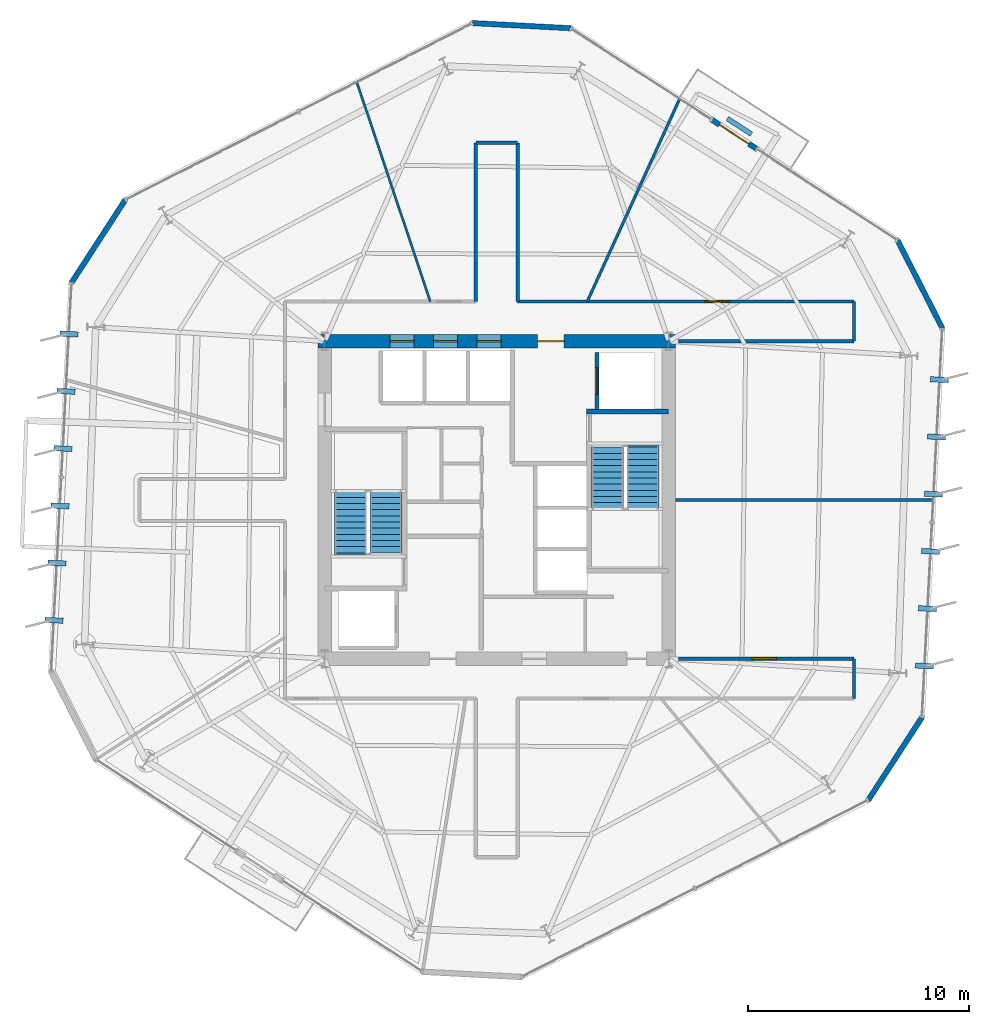
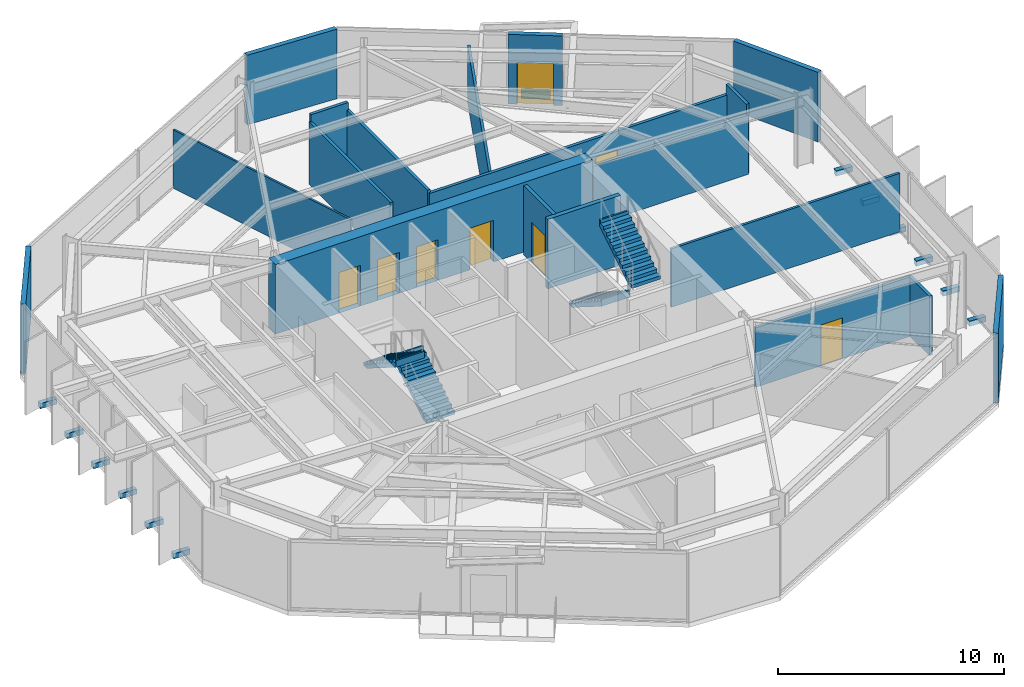
# One storey, part 8 of 10: 20 walls, 12 discrete accessories, 8 doors, 4 stair flights, 8 openings, 2 elements without a shape of their own.
"""IFC4 building model written with IfcOpenShell, lengths in metres."""

from ifc_helpers import new_model, si_unit, direction, frame, frame_2d, origin, origin_2d, place, context, subcontext, project, spatial, polyline, rectangle, outline, extrude, material, layer, layer_set, type_object, element, fill, aggregate, save


model = new_model("IFC4")

# Units and contexts
model_context = context("Model", 3, precision=1e-05, world=origin(), true_north=direction((0.0, 1.0)))
body_context = subcontext(model_context, "Body", "Model", "MODEL_VIEW")
ifc_project = project(units=[si_unit("LENGTHUNIT", "METRE"), si_unit("AREAUNIT", "SQUARE_METRE"), si_unit("VOLUMEUNIT", "CUBIC_METRE"), si_unit("PLANEANGLEUNIT", "RADIAN"), si_unit("MASSUNIT", "GRAM", prefix="KILO")], contexts=[model_context])

# Site, building, storey
site_placement = place(None, origin())
site = spatial("IfcSite", under=ifc_project, at=site_placement, CompositionType="ELEMENT")
building_placement = place(site_placement, origin())
building = spatial("IfcBuilding", under=site, at=building_placement, Name="Kranzbogen Civic Tower", CompositionType="ELEMENT")
storey_placement = place(building_placement, frame((0.0, 0.0, 130.39990234375)))
storey = spatial("IfcBuildingStorey", under=building, at=storey_placement, Name="L31", CompositionType="ELEMENT", Elevation=130.39990234375)

# Walls
ifc_material_1 = material(Name="Double-Stud Acoustic Gypsum Partition")
ifc_layer_1 = layer(ifc_material_1, 0.14990234375, Name="Double-Stud Acoustic Gypsum Partition")
ifc_layer_set_1 = layer_set([ifc_layer_1], Name="Double-Stud Acoustic Gypsum Partition")
wall_type_1 = type_object("IfcWallType", Name="Acoustic Corridor and Clinical Partition 150 mm", PredefinedType="PARTITIONING", material=ifc_layer_set_1)
wall_1_placement = place(storey_placement, frame((24.050048828125, 34.0, 0.0), z_axis=(0.0, 0.0, 1.0), x_axis=(0.0, 1.0, 0.0)))
element("IfcWall", 1, at=wall_1_placement, inside=storey, type_object=wall_type_1, Name="L31 corridor partition 11", PredefinedType="PARTITIONING", context=body_context, shape_type="SweptSolid", body=[
    extrude(rectangle(XDim=7.199951171875, YDim=0.14990234375, at=frame_2d((3.60009765625, 0.0))), origin(), (0.0, 0.0, 1.0), 3.360107421875),
])
wall_2_placement = place(storey_placement, frame((24.050048828125, 41.199951171875, 0.0), z_axis=(0.0, 0.0, 1.0), x_axis=(1.0, 0.0, 0.0)))
element("IfcWall", 2, at=wall_2_placement, inside=storey, type_object=wall_type_1, Name="L31 corridor partition 12", PredefinedType="PARTITIONING", context=body_context, shape_type="SweptSolid", body=[
    extrude(rectangle(XDim=1.89990234375, YDim=0.14990234375, at=frame_2d((0.949951171875, 0.0))), origin(), (0.0, 0.0, 1.0), 3.760009765625),
])
wall_3_placement = place(storey_placement, frame((25.949951171875, 41.199951171875, 0.0), z_axis=(0.0, 0.0, 1.0), x_axis=(0.0, -1.0, 0.0)))
element("IfcWall", 3, at=wall_3_placement, inside=storey, type_object=wall_type_1, Name="L31 corridor partition 13", PredefinedType="PARTITIONING", context=body_context, shape_type="SweptSolid", body=[
    extrude(rectangle(XDim=7.199951171875, YDim=0.14990234375, at=frame_2d((3.60009765625, 0.0))), origin(), (0.0, 0.0, 1.0), 3.360107421875),
])

# Wall, opening, door
wall_4_placement = place(storey_placement, frame((25.949951171875, 34.0, 0.0), z_axis=(0.0, 0.0, 1.0), x_axis=(1.0, 0.0, 0.0)))
wall_4 = element("IfcWall", 4, at=wall_4_placement, inside=storey, type_object=wall_type_1, Name="L31 corridor partition 14", PredefinedType="PARTITIONING", context=body_context, shape_type="SweptSolid", body=[
    extrude(rectangle(XDim=15.25, YDim=0.14990234375, at=frame_2d((7.625, 0.0))), origin(), (0.0, 0.0, 1.0), 3.210205078125),
])
opening_1_placement = place(wall_4_placement, frame((8.487060546875, 0.0, 0.0)))
opening_1 = element("IfcOpeningElement", 5, at=opening_1_placement, cuts=wall_4, Name="Opening D-COR60", PredefinedType="OPENING", context=body_context, shape_type="SweptSolid", body=[
    extrude(rectangle(XDim=1.10009765625, YDim=2.199951171875, at=frame_2d((0.550048828125, 1.10009765625))), frame((0.0, 0.0849609375, 0.0), z_axis=(0.0, -1.0, 0.0), x_axis=(1.0, 0.0, 0.0)), (0.0, 0.0, 1.0), 0.169921875),
])
ifc_material_2 = material(Name="Oak Timber and Fire Core", Category="wood")
door_type_1 = type_object("IfcDoorType", Name="Corridor Acoustic Fire Door 1100x2200", OperationType="NOTDEFINED", PredefinedType="DOOR", material=ifc_material_2)
door_1_placement = place(opening_1_placement, origin())
door_1 = element("IfcDoor", 6, at=door_1_placement, inside=storey, type_object=door_type_1, Name="L31 Public Delegation Reception door", OperationType="SINGLE_SWING_LEFT", OverallHeight=2.199951171875, OverallWidth=1.10009765625, PredefinedType="DOOR", context=body_context, shape_type="SweptSolid", body=[
    extrude(rectangle(XDim=1.10009765625, YDim=2.199951171875, at=frame_2d((0.550048828125, 1.10009765625))), frame((0.0, 0.02490234375, 0.0), z_axis=(0.0, -1.0, 0.0), x_axis=(1.0, 0.0, 0.0)), (0.0, 0.0, 1.0), 0.050048828125),
])
fill(opening_1, door_1)

# Walls
wall_5_placement = place(storey_placement, frame((41.199951171875, 34.0, 0.0), z_axis=(0.0, 0.0, 1.0), x_axis=(0.0, -1.0, 0.0)))
element("IfcWall", 7, at=wall_5_placement, inside=storey, type_object=wall_type_1, Name="L31 corridor partition 15", PredefinedType="PARTITIONING", context=body_context, shape_type="SweptSolid", body=[
    extrude(rectangle(XDim=1.800048828125, YDim=0.14990234375, at=frame_2d((0.89990234375, 0.0))), origin(), (0.0, 0.0, 1.0), 3.760009765625),
])
wall_6_placement = place(storey_placement, frame((41.199951171875, 32.199951171875, 0.0), z_axis=(0.0, 0.0, 1.0), x_axis=(-1.0, 0.0, 0.0)))
element("IfcWall", 8, at=wall_6_placement, inside=storey, type_object=wall_type_1, Name="L31 corridor partition 16", PredefinedType="PARTITIONING", context=body_context, shape_type="SweptSolid", body=[
    extrude(rectangle(XDim=7.952880859375, YDim=0.14990234375, at=frame_2d((3.9765625, 0.0))), origin(), (0.0, 0.0, 1.0), 3.210205078125),
])

# Wall, opening, door
wall_7_placement = place(storey_placement, frame((33.2470703125, 17.800048828125, 0.0), z_axis=(0.0, 0.0, 1.0), x_axis=(1.0, 0.0, 0.0)))
wall_7 = element("IfcWall", 9, at=wall_7_placement, inside=storey, type_object=wall_type_1, Name="L31 corridor partition 17", PredefinedType="PARTITIONING", context=body_context, shape_type="SweptSolid", body=[
    extrude(rectangle(XDim=7.952880859375, YDim=0.14990234375, at=frame_2d((3.9765625, 0.0))), origin(), (0.0, 0.0, 1.0), 3.210205078125),
])
opening_2_placement = place(wall_7_placement, frame((3.337890625, 0.0, 0.0)))
opening_2 = element("IfcOpeningElement", 10, at=opening_2_placement, cuts=wall_7, Name="Opening D-COR60", PredefinedType="OPENING", context=body_context, shape_type="SweptSolid", body=[
    extrude(rectangle(XDim=1.10009765625, YDim=2.199951171875, at=frame_2d((0.550048828125, 1.10009765625))), frame((0.0, 0.0849609375, 0.0), z_axis=(0.0, -1.0, 0.0), x_axis=(1.0, 0.0, 0.0)), (0.0, 0.0, 1.0), 0.169921875),
])
door_2_placement = place(opening_2_placement, origin())
door_2 = element("IfcDoor", 11, at=door_2_placement, inside=storey, type_object=door_type_1, Name="L31 Visitor Concierge Foyer door", OperationType="SINGLE_SWING_RIGHT", OverallHeight=2.199951171875, OverallWidth=1.10009765625, PredefinedType="DOOR", context=body_context, shape_type="SweptSolid", body=[
    extrude(rectangle(XDim=1.10009765625, YDim=2.199951171875, at=frame_2d((0.550048828125, 1.10009765625))), frame((0.0, 0.02490234375, 0.0), z_axis=(0.0, -1.0, 0.0), x_axis=(1.0, 0.0, 0.0)), (0.0, 0.0, 1.0), 0.050048828125),
])
fill(opening_2, door_2)

# Walls
wall_8_placement = place(storey_placement, frame((41.199951171875, 17.800048828125, 0.0), z_axis=(0.0, 0.0, 1.0), x_axis=(0.0, -1.0, 0.0)))
element("IfcWall", 12, at=wall_8_placement, inside=storey, type_object=wall_type_1, Name="L31 corridor partition 18", PredefinedType="PARTITIONING", context=body_context, shape_type="SweptSolid", body=[
    extrude(rectangle(XDim=1.800048828125, YDim=0.14990234375, at=frame_2d((0.89990234375, 0.0))), origin(), (0.0, 0.0, 1.0), 3.210205078125),
])
ifc_material_3 = material(Name="Insulated Metal-Stud Gypsum Partition")
ifc_layer_2 = layer(ifc_material_3, 0.125, Name="Insulated Metal-Stud Gypsum Partition")
ifc_layer_set_2 = layer_set([ifc_layer_2], Name="Insulated Metal-Stud Gypsum Partition")
wall_type_2 = type_object("IfcWallType", Name="Acoustic Inter-Room Partition 125 mm", PredefinedType="PARTITIONING", material=ifc_layer_set_2)
wall_9_placement = place(storey_placement, frame((29.10400390625, 34.0, 0.0), z_axis=(0.0, 0.0, 1.0), x_axis=(0.414877179532, 0.90987742356, 0.0)))
element("IfcWall", 13, at=wall_9_placement, inside=storey, type_object=wall_type_2, Name="L31 radial room partition 01", PredefinedType="PARTITIONING", context=body_context, shape_type="SweptSolid", body=[
    extrude(rectangle(XDim=10.082763671875, YDim=0.125, at=frame_2d((5.04150390625, 0.0))), origin(), (0.0, 0.0, 1.0), 3.050048828125),
])
wall_10_placement = place(storey_placement, frame((33.10009765625, 25.0, 0.0), z_axis=(0.0, 0.0, 1.0), x_axis=(1.0, 0.0, 0.0)))
element("IfcWall", 14, at=wall_10_placement, inside=storey, type_object=wall_type_2, Name="L31 radial room partition 07", PredefinedType="PARTITIONING", context=body_context, shape_type="SweptSolid", body=[
    extrude(rectangle(XDim=11.681884765625, YDim=0.125, at=frame_2d((5.8408203125, 0.0))), origin(), (0.0, 0.0, 1.0), 3.16015625),
])
ifc_material_4 = material(Name="Architectural Precast Terracotta Concrete C40/50", Category="masonry")
ifc_layer_3 = layer(ifc_material_4, 0.219970703125, Name="Architectural Precast Terracotta Concrete C40/50")
ifc_layer_set_3 = layer_set([ifc_layer_3], Name="Architectural Precast Terracotta Concrete C40/50")
wall_type_3 = type_object("IfcWallType", Name="Architectural Tree Planter Kerb Wall 220 mm", PredefinedType="USERDEFINED", material=ifc_layer_set_3)
wall_11_placement = place(storey_placement, frame((36.549072265625, 41.591064453125, 0.0), z_axis=(0.0, 0.0, 1.0), x_axis=(-0.838636669764, 0.544691230082, 0.0)))
element("IfcWall", 15, at=wall_11_placement, inside=storey, type_object=wall_type_3, Name="L31 landscaped tree balcony planter L31-TB2", ObjectType="PLANTER_WALL", PredefinedType="USERDEFINED", context=body_context, shape_type="SweptSolid", body=[
    extrude(rectangle(XDim=1.2998046875, YDim=0.219970703125, at=frame_2d((0.64990234375, 0.0))), origin(), (0.0, 0.0, 1.0), 0.400146484375),
])

# Wall, openings, doors
ifc_material_5 = material(Name="Concrete C55/67", Category="concrete")
ifc_layer_4 = layer(ifc_material_5, 0.60009765625, Name="Concrete C55/67")
ifc_layer_set_4 = layer_set([ifc_layer_4], Name="Concrete C55/67")
wall_type_4 = type_object("IfcWallType", Name="Central Core Shear Wall 600 mm", PredefinedType="SHEAR", material=ifc_layer_set_4)
wall_12_placement = place(storey_placement, frame((33.10009765625, 32.199951171875, 0.0), z_axis=(0.0, 0.0, 1.0), x_axis=(-1.0, 0.0, 0.0)))
wall_12 = element("IfcWall", 16, at=wall_12_placement, inside=storey, type_object=wall_type_4, Name="L31 central core North shear wall", PredefinedType="SHEAR", context=body_context, shape_type="SweptSolid", body=[
    extrude(rectangle(XDim=16.2001953125, YDim=0.60009765625, at=frame_2d((8.10009765625, 0.0))), origin(), (0.0, 0.0, 1.0), 3.760009765625),
])
opening_3_placement = place(wall_12_placement, frame((5.050048828125, 0.0, 0.0)))
opening_3 = element("IfcOpeningElement", 17, at=opening_3_placement, cuts=wall_12, Name="Opening D-EX120", PredefinedType="OPENING", context=body_context, shape_type="SweptSolid", body=[
    extrude(rectangle(XDim=1.199951171875, YDim=2.25, at=frame_2d((0.60009765625, 1.125))), frame((0.0, 0.31005859375, 0.0), z_axis=(0.0, -1.0, 0.0), x_axis=(1.0, 0.0, 0.0)), (0.0, 0.0, 1.0), 0.6201171875),
])
opening_4_placement = place(wall_12_placement, frame((11.85009765625, 0.0, 0.0)))
opening_4 = element("IfcOpeningElement", 18, at=opening_4_placement, cuts=wall_12, Name="Opening LD-MP-01", PredefinedType="OPENING", context=body_context, shape_type="SweptSolid", body=[
    extrude(rectangle(XDim=1.10009765625, YDim=2.199951171875, at=frame_2d((0.550048828125, 1.10009765625))), frame((0.0, 0.31005859375, 0.0), z_axis=(0.0, -1.0, 0.0), x_axis=(1.0, 0.0, 0.0)), (0.0, 0.0, 1.0), 0.6201171875),
])
opening_5_placement = place(wall_12_placement, frame((9.875, 0.0, 0.0)))
opening_5 = element("IfcOpeningElement", 19, at=opening_5_placement, cuts=wall_12, Name="Opening LD-MP-02", PredefinedType="OPENING", context=body_context, shape_type="SweptSolid", body=[
    extrude(rectangle(XDim=1.10009765625, YDim=2.199951171875, at=frame_2d((0.550048828125, 1.10009765625))), frame((0.0, 0.31005859375, 0.0), z_axis=(0.0, -1.0, 0.0), x_axis=(1.0, 0.0, 0.0)), (0.0, 0.0, 1.0), 0.6201171875),
])
opening_6_placement = place(wall_12_placement, frame((7.89990234375, 0.0, 0.0)))
opening_6 = element("IfcOpeningElement", 20, at=opening_6_placement, cuts=wall_12, Name="Opening LD-MP-03", PredefinedType="OPENING", context=body_context, shape_type="SweptSolid", body=[
    extrude(rectangle(XDim=1.10009765625, YDim=2.199951171875, at=frame_2d((0.550048828125, 1.10009765625))), frame((0.0, 0.31005859375, 0.0), z_axis=(0.0, -1.0, 0.0), x_axis=(1.0, 0.0, 0.0)), (0.0, 0.0, 1.0), 0.6201171875),
])
ifc_material_6 = material(Name="Steel S355", Category="steel")
door_type_2 = type_object("IfcDoorType", Name="Exit Passageway Fire Door 1200x2250", OperationType="NOTDEFINED", PredefinedType="DOOR", material=ifc_material_6)
door_3_placement = place(opening_3_placement, origin())
door_3 = element("IfcDoor", 21, at=door_3_placement, inside=storey, type_object=door_type_2, Name="L31 East firefighting lobby corridor door", OperationType="SINGLE_SWING_LEFT", OverallHeight=2.25, OverallWidth=1.199951171875, PredefinedType="DOOR", context=body_context, shape_type="SweptSolid", body=[
    extrude(rectangle(XDim=1.199951171875, YDim=2.25, at=frame_2d((0.60009765625, 1.125))), frame((0.0, 0.02490234375, 0.0), z_axis=(0.0, -1.0, 0.0), x_axis=(1.0, 0.0, 0.0)), (0.0, 0.0, 1.0), 0.050048828125),
])
fill(opening_3, door_3)
ifc_material_7 = material(Name="Pale Anodised Aluminium", Category="aluminium")
door_type_3 = type_object("IfcDoorType", Name="Passenger Lift Sliding Landing Door 1100x2200", OperationType="DOUBLE_DOOR_SLIDING", PredefinedType="DOOR", material=ifc_material_7)
door_4_placement = place(opening_4_placement, origin())
door_4 = element("IfcDoor", 22, at=door_4_placement, inside=storey, type_object=door_type_3, Name="L31 lift MP-01 sliding landing door", OperationType="DOUBLE_DOOR_SLIDING", OverallHeight=2.199951171875, OverallWidth=1.10009765625, PredefinedType="DOOR", context=body_context, shape_type="SweptSolid", body=[
    extrude(rectangle(XDim=1.10009765625, YDim=2.199951171875, at=frame_2d((0.550048828125, 1.10009765625))), frame((0.0, 0.02490234375, 0.0), z_axis=(0.0, -1.0, 0.0), x_axis=(1.0, 0.0, 0.0)), (0.0, 0.0, 1.0), 0.050048828125),
])
fill(opening_4, door_4)
door_5_placement = place(opening_5_placement, origin())
door_5 = element("IfcDoor", 23, at=door_5_placement, inside=storey, type_object=door_type_3, Name="L31 lift MP-02 sliding landing door", OperationType="DOUBLE_DOOR_SLIDING", OverallHeight=2.199951171875, OverallWidth=1.10009765625, PredefinedType="DOOR", context=body_context, shape_type="SweptSolid", body=[
    extrude(rectangle(XDim=1.10009765625, YDim=2.199951171875, at=frame_2d((0.550048828125, 1.10009765625))), frame((0.0, 0.02490234375, 0.0), z_axis=(0.0, -1.0, 0.0), x_axis=(1.0, 0.0, 0.0)), (0.0, 0.0, 1.0), 0.050048828125),
])
fill(opening_5, door_5)
door_6_placement = place(opening_6_placement, origin())
door_6 = element("IfcDoor", 24, at=door_6_placement, inside=storey, type_object=door_type_3, Name="L31 lift MP-03 sliding landing door", OperationType="DOUBLE_DOOR_SLIDING", OverallHeight=2.199951171875, OverallWidth=1.10009765625, PredefinedType="DOOR", context=body_context, shape_type="SweptSolid", body=[
    extrude(rectangle(XDim=1.10009765625, YDim=2.199951171875, at=frame_2d((0.550048828125, 1.10009765625))), frame((0.0, 0.02490234375, 0.0), z_axis=(0.0, -1.0, 0.0), x_axis=(1.0, 0.0, 0.0)), (0.0, 0.0, 1.0), 0.050048828125),
])
fill(opening_6, door_6)

# Walls
ifc_material_8 = material(Name="Concrete C45/55", Category="concrete")
ifc_layer_5 = layer(ifc_material_8, 0.219970703125, Name="Concrete C45/55")
ifc_layer_set_5 = layer_set([ifc_layer_5], Name="Concrete C45/55")
wall_type_5 = type_object("IfcWallType", Name="Core Internal Stair Structural Wall 220 mm", PredefinedType="SOLIDWALL", material=ifc_layer_set_5)
wall_13_placement = place(storey_placement, frame((29.080078125, 29.010009765625, 0.0), z_axis=(0.0, 0.0, 1.0), x_axis=(1.0, 0.0, 0.0)))
element("IfcWall", 25, at=wall_13_placement, inside=storey, type_object=wall_type_5, Name="L31 ST-T2 North structural stair wall", PredefinedType="SOLIDWALL", context=body_context, shape_type="SweptSolid", body=[
    extrude(rectangle(XDim=3.719970703125, YDim=0.219970703125, at=frame_2d((1.85986328125, 0.0))), origin(), (0.0, 0.0, 1.0), 3.760009765625),
])
ifc_material_9 = material(Name="Demountable Aluminium and Gypsum Partition", Category="aluminium")
ifc_layer_6 = layer(ifc_material_9, 0.10009765625, Name="Demountable Aluminium and Gypsum Partition")
ifc_layer_set_6 = layer_set([ifc_layer_6], Name="Demountable Aluminium and Gypsum Partition")
wall_type_6 = type_object("IfcWallType", Name="Demountable Office Partition 100 mm", PredefinedType="MOVABLE", material=ifc_layer_set_6)
wall_14_placement = place(storey_placement, frame((21.987060546875, 34.0, 0.0), z_axis=(0.0, 0.0, 1.0), x_axis=(-0.317554871219, 0.948239897792, 0.0)))
element("IfcWall", 26, at=wall_14_placement, inside=storey, type_object=wall_type_6, Name="L31 radial room partition 02", PredefinedType="MOVABLE", context=body_context, shape_type="SweptSolid", body=[
    extrude(rectangle(XDim=10.483642578125, YDim=0.10009765625, at=frame_2d((5.24169921875, 0.0))), origin(), (0.0, 0.0, 1.0), 3.16015625),
])

# Wall, opening, door
ifc_material_10 = material(Name="Gypsum Fireboard Shaftliner")
ifc_layer_7 = layer(ifc_material_10, 0.175048828125, Name="Gypsum Fireboard Shaftliner")
ifc_layer_set_7 = layer_set([ifc_layer_7], Name="Gypsum Fireboard Shaftliner")
wall_type_7 = type_object("IfcWallType", Name="Fire-Rated Lift and Service Shaft Wall 175 mm", PredefinedType="PARTITIONING", material=ifc_layer_set_7)
wall_15_placement = place(storey_placement, frame((29.550048828125, 29.10009765625, 0.0), z_axis=(0.0, 0.0, 1.0), x_axis=(0.0, 1.0, 0.0)))
wall_15 = element("IfcWall", 27, at=wall_15_placement, inside=storey, type_object=wall_type_7, Name="L31 lift FF-02 landing wall", PredefinedType="PARTITIONING", context=body_context, shape_type="SweptSolid", body=[
    extrude(rectangle(XDim=2.599853515625, YDim=0.175048828125, at=frame_2d((1.2998046875, 0.0))), origin(), (0.0, 0.0, 1.0), 3.760009765625),
])
opening_7_placement = place(wall_15_placement, frame((0.699951171875, 0.0, 0.0)))
opening_7 = element("IfcOpeningElement", 28, at=opening_7_placement, cuts=wall_15, Name="Opening LD-FF-02", PredefinedType="OPENING", context=body_context, shape_type="SweptSolid", body=[
    extrude(rectangle(XDim=1.199951171875, YDim=2.199951171875, at=frame_2d((0.60009765625, 1.10009765625))), frame((0.0, 0.09765625, 0.0), z_axis=(0.0, -1.0, 0.0), x_axis=(1.0, 0.0, 0.0)), (0.0, 0.0, 1.0), 0.195068359375),
])
door_type_4 = type_object("IfcDoorType", Name="Firefighting and Stretcher Lift Sliding Landing Door 1200x2200", OperationType="DOUBLE_DOOR_SLIDING", PredefinedType="DOOR", material=ifc_material_7)
door_7_placement = place(opening_7_placement, origin())
door_7 = element("IfcDoor", 29, at=door_7_placement, inside=storey, type_object=door_type_4, Name="L31 lift FF-02 sliding landing door", OperationType="DOUBLE_DOOR_SLIDING", OverallHeight=2.199951171875, OverallWidth=1.199951171875, PredefinedType="DOOR", context=body_context, shape_type="SweptSolid", body=[
    extrude(rectangle(XDim=1.199951171875, YDim=2.199951171875, at=frame_2d((0.60009765625, 1.10009765625))), frame((0.0, 0.02490234375, 0.0), z_axis=(0.0, -1.0, 0.0), x_axis=(1.0, 0.0, 0.0)), (0.0, 0.0, 1.0), 0.050048828125),
])
fill(opening_7, door_7)

ifc_layer_8 = layer(ifc_material_7, 0.239990234375, Name="Pale Anodised Aluminium")
ifc_layer_set_8 = layer_set([ifc_layer_8], Name="Pale Anodised Aluminium")
wall_type_8 = type_object("IfcWallType", Name="Insulated Aluminium Facade Portal Wall 240 mm", PredefinedType="STANDARD", material=ifc_layer_set_8)
wall_16_placement = place(storey_placement, frame((36.77490234375, 40.928955078125, 0.0), z_axis=(0.0, 0.0, 1.0), x_axis=(-0.838687554781, 0.544612876689, 0.0)))
wall_16 = element("IfcWall", 30, at=wall_16_placement, inside=storey, type_object=wall_type_8, Name="L31 exterior entrance portal wall 1", PredefinedType="STANDARD", context=body_context, shape_type="SweptSolid", body=[
    extrude(rectangle(XDim=2.400146484375, YDim=0.239990234375, at=frame_2d((1.2001953125, 0.0))), origin(), (0.0, 0.0, 1.0), 3.760009765625),
])
opening_8_placement = place(wall_16_placement, frame((0.39990234375, 0.0, 0.0)))
opening_8 = element("IfcOpeningElement", 31, at=opening_8_placement, cuts=wall_16, Name="Opening D-TER", PredefinedType="OPENING", context=body_context, shape_type="SweptSolid", body=[
    extrude(rectangle(XDim=1.60009765625, YDim=2.25, at=frame_2d((0.800048828125, 1.125))), frame((0.0, 0.1298828125, 0.0), z_axis=(0.0, -1.0, 0.0), x_axis=(1.0, 0.0, 0.0)), (0.0, 0.0, 1.0), 0.260009765625),
])
ifc_material_11 = material(Name="Anodised Bronze and Triple Glass", Category="glass")
door_type_5 = type_object("IfcDoorType", Name="Glazed Terrace and Balcony Double Door 1600x2250", OperationType="DOUBLE_DOOR_SINGLE_SWING", PredefinedType="DOOR", material=ifc_material_11)
door_8_placement = place(opening_8_placement, frame((1.60009765625, 0.0, 0.0), z_axis=(0.0, 0.0, 1.0), x_axis=(-1.0, 0.0, 0.0)))
door_8 = element("IfcDoor", 32, at=door_8_placement, inside=storey, type_object=door_type_5, Name="L31 tree balcony access door L31-TB2", OperationType="DOUBLE_DOOR_SINGLE_SWING", OverallHeight=2.25, OverallWidth=1.60009765625, PredefinedType="DOOR", context=body_context, shape_type="SweptSolid", body=[
    extrude(rectangle(XDim=1.60009765625, YDim=2.25, at=frame_2d((0.800048828125, 1.125))), frame((0.0, 0.02490234375, 0.0), z_axis=(0.0, -1.0, 0.0), x_axis=(1.0, 0.0, 0.0)), (0.0, 0.0, 1.0), 0.050048828125),
])
fill(opening_8, door_8)

# Walls
wall_17_placement = place(storey_placement, frame((28.360107421875, 46.39404296875, 0.0), z_axis=(0.0, 0.0, 1.0), x_axis=(-0.998630920983, 0.052309498732, 0.0)))
element("IfcWall", 33, at=wall_17_placement, inside=storey, type_object=wall_type_8, Name="L31 chamfered corner facade spandrel 1", PredefinedType="STANDARD", context=body_context, shape_type="SweptSolid", body=[
    extrude(rectangle(XDim=4.47119140625, YDim=0.239990234375, at=frame_2d((2.235595703125, 0.0))), origin(), (0.0, 0.0, 1.0), 3.760009765625),
])
for number, where, z_axis, x_axis, name in (
    (34, (8.152099609375, 38.60693359375, 0.0), (0.0, 0.0, 1.0), (-0.544351046129, -0.838857519832, 0.0), "L31 chamfered corner facade spandrel 2"),
    (35, (41.847900390625, 11.39306640625, 0.0), (0.0, 0.0, 1.0), (0.544351046129, 0.838857519832, 0.0), "L31 chamfered corner facade spandrel 5"),
):
    element("IfcWall", number, at=place(storey_placement, frame(where, z_axis=z_axis, x_axis=x_axis)), inside=storey, type_object=wall_type_8, Name=name, PredefinedType="STANDARD", context=body_context, shape_type="SweptSolid", body=[
        extrude(rectangle(XDim=4.471435546875, YDim=0.239990234375, at=frame_2d((2.23583984375, 0.0))), origin(), (0.0, 0.0, 1.0), 3.760009765625),
    ])
wall_18_placement = place(storey_placement, frame((45.20703125, 32.7880859375, 0.0), z_axis=(0.0, 0.0, 1.0), x_axis=(-0.454103301767, 0.89094903969, 0.0)))
element("IfcWall", 36, at=wall_18_placement, inside=storey, type_object=wall_type_8, Name="L31 chamfered corner facade spandrel 6", PredefinedType="STANDARD", context=body_context, shape_type="SweptSolid", body=[
    extrude(rectangle(XDim=4.470458984375, YDim=0.239990234375, at=frame_2d((2.2353515625, 0.0))), origin(), (0.0, 0.0, 1.0), 3.760009765625),
])

# Stair, stair flights
ifc_material_12 = material(Name="Precast concrete C40/50", Category="concrete")
stair_type_1 = type_object("IfcStairType", Name="Tower Core Pressurized Dogleg Stair 1450", PredefinedType="HALF_TURN_STAIR", material=ifc_material_12)
stair_1_placement = place(storey_placement, origin())
stair_1 = element("IfcStair", 37, at=stair_1_placement, inside=storey, type_object=stair_type_1, Name="L31 Tower Core Pressurized Stair 1", PredefinedType="HALF_TURN_STAIR")
stair_flight_type = type_object("IfcStairFlightType", Name="Precast Concrete Stair Flight R180", PredefinedType="STRAIGHT", material=ifc_material_12)
stair_flight_1_placement = place(storey_placement, frame((19.97509765625, 22.60009765625, 0.0), z_axis=(0.0, 0.0, 1.0), x_axis=(0.0, 1.0, 0.0)))
stair_flight_1 = element("IfcStairFlight", 38, at=stair_flight_1_placement, type_object=stair_flight_type, Name="ST-T1 flight 1", NumberOfRisers=11, NumberOfTreads=10, PredefinedType="STRAIGHT", RiserHeight=0.181818182, TreadLength=0.28, context=body_context, shape_type="SweptSolid", body=[
    extrude(outline(polyline([(0.0, 0.0), (0.0, 0.181884765625), (0.280029296875, 0.181884765625), (0.280029296875, 0.363525390625), (0.56005859375, 0.363525390625), (0.56005859375, 0.54541015625), (0.840087890625, 0.54541015625), (0.840087890625, 0.727294921875), (1.1201171875, 0.727294921875), (1.1201171875, 0.9091796875), (1.39990234375, 0.9091796875), (1.39990234375, 1.0908203125), (1.679931640625, 1.0908203125), (1.679931640625, 1.272705078125), (1.9599609375, 1.272705078125), (1.9599609375, 1.45458984375), (2.239990234375, 1.45458984375), (2.239990234375, 1.636474609375), (2.52001953125, 1.636474609375), (2.52001953125, 1.818115234375), (2.800048828125, 1.818115234375), (2.800048828125, 2.0), (2.880126953125, 2.0), (2.880126953125, 1.639404296875), (0.275146484375, 0.0), (0.0, 0.0)])), frame((0.0, 0.72509765625, 0.0), z_axis=(0.0, -1.0, 0.0), x_axis=(1.0, 0.0, 0.0)), (0.0, 0.0, 1.0), 1.449951171875),
])
stair_flight_2_placement = place(storey_placement, frame((18.375, 25.39990234375, 2.0), z_axis=(0.0, 0.0, 1.0), x_axis=(0.0, -1.0, 0.0)))
stair_flight_2 = element("IfcStairFlight", 39, at=stair_flight_2_placement, type_object=stair_flight_type, Name="ST-T1 flight 2", NumberOfRisers=11, NumberOfTreads=10, PredefinedType="STRAIGHT", RiserHeight=0.181818182, TreadLength=0.28, context=body_context, shape_type="SweptSolid", body=[
    extrude(outline(polyline([(0.0, 0.0), (0.0, 0.181884765625), (0.280029296875, 0.181884765625), (0.280029296875, 0.363525390625), (0.56005859375, 0.363525390625), (0.56005859375, 0.54541015625), (0.840087890625, 0.54541015625), (0.840087890625, 0.727294921875), (1.1201171875, 0.727294921875), (1.1201171875, 0.9091796875), (1.39990234375, 0.9091796875), (1.39990234375, 1.0908203125), (1.679931640625, 1.0908203125), (1.679931640625, 1.272705078125), (1.9599609375, 1.272705078125), (1.9599609375, 1.45458984375), (2.239990234375, 1.45458984375), (2.239990234375, 1.636474609375), (2.52001953125, 1.636474609375), (2.52001953125, 1.818115234375), (2.800048828125, 1.818115234375), (2.800048828125, 2.0), (2.880126953125, 2.0), (2.880126953125, 1.639404296875), (0.275146484375, 0.0), (0.0, 0.0)])), frame((0.0, 0.72509765625, 0.0), z_axis=(0.0, -1.0, 0.0), x_axis=(1.0, 0.0, 0.0)), (0.0, 0.0, 1.0), 1.449951171875),
])
aggregate(stair_1, [stair_flight_1, stair_flight_2])

stair_type_2 = type_object("IfcStairType", Name="Tower Core Secondary Dogleg Stair 1450", PredefinedType="HALF_TURN_STAIR", material=ifc_material_12)
stair_2_placement = place(storey_placement, origin())
stair_2 = element("IfcStair", 40, at=stair_2_placement, inside=storey, type_object=stair_type_2, Name="L31 Tower Core Pressurized Stair 2", PredefinedType="HALF_TURN_STAIR")
stair_flight_3_placement = place(storey_placement, frame((30.02490234375, 27.39990234375, 0.0), z_axis=(0.0, 0.0, 1.0), x_axis=(0.0, -1.0, 0.0)))
stair_flight_3 = element("IfcStairFlight", 41, at=stair_flight_3_placement, type_object=stair_flight_type, Name="ST-T2 flight 1", NumberOfRisers=11, NumberOfTreads=10, PredefinedType="STRAIGHT", RiserHeight=0.181818182, TreadLength=0.28, context=body_context, shape_type="SweptSolid", body=[
    extrude(outline(polyline([(0.0, 0.0), (0.0, 0.181884765625), (0.280029296875, 0.181884765625), (0.280029296875, 0.363525390625), (0.56005859375, 0.363525390625), (0.56005859375, 0.54541015625), (0.840087890625, 0.54541015625), (0.840087890625, 0.727294921875), (1.1201171875, 0.727294921875), (1.1201171875, 0.9091796875), (1.39990234375, 0.9091796875), (1.39990234375, 1.0908203125), (1.679931640625, 1.0908203125), (1.679931640625, 1.272705078125), (1.9599609375, 1.272705078125), (1.9599609375, 1.45458984375), (2.239990234375, 1.45458984375), (2.239990234375, 1.636474609375), (2.52001953125, 1.636474609375), (2.52001953125, 1.818115234375), (2.800048828125, 1.818115234375), (2.800048828125, 2.0), (2.880126953125, 2.0), (2.880126953125, 1.639404296875), (0.275146484375, 0.0), (0.0, 0.0)])), frame((0.0, 0.72509765625, 0.0), z_axis=(0.0, -1.0, 0.0), x_axis=(1.0, 0.0, 0.0)), (0.0, 0.0, 1.0), 1.449951171875),
])
stair_flight_4_placement = place(storey_placement, frame((31.625, 24.60009765625, 2.0), z_axis=(0.0, 0.0, 1.0), x_axis=(0.0, 1.0, 0.0)))
stair_flight_4 = element("IfcStairFlight", 42, at=stair_flight_4_placement, type_object=stair_flight_type, Name="ST-T2 flight 2", NumberOfRisers=11, NumberOfTreads=10, PredefinedType="STRAIGHT", RiserHeight=0.181818182, TreadLength=0.28, context=body_context, shape_type="SweptSolid", body=[
    extrude(outline(polyline([(0.0, 0.0), (0.0, 0.181884765625), (0.280029296875, 0.181884765625), (0.280029296875, 0.363525390625), (0.56005859375, 0.363525390625), (0.56005859375, 0.54541015625), (0.840087890625, 0.54541015625), (0.840087890625, 0.727294921875), (1.1201171875, 0.727294921875), (1.1201171875, 0.9091796875), (1.39990234375, 0.9091796875), (1.39990234375, 1.0908203125), (1.679931640625, 1.0908203125), (1.679931640625, 1.272705078125), (1.9599609375, 1.272705078125), (1.9599609375, 1.45458984375), (2.239990234375, 1.45458984375), (2.239990234375, 1.636474609375), (2.52001953125, 1.636474609375), (2.52001953125, 1.818115234375), (2.800048828125, 1.818115234375), (2.800048828125, 2.0), (2.880126953125, 2.0), (2.880126953125, 1.639404296875), (0.275146484375, 0.0), (0.0, 0.0)])), frame((0.0, 0.72509765625, 0.0), z_axis=(0.0, -1.0, 0.0), x_axis=(1.0, 0.0, 0.0)), (0.0, 0.0, 1.0), 1.449951171875),
])
aggregate(stair_2, [stair_flight_3, stair_flight_4])

# Discrete accessories
discrete_accessory_type = type_object("IfcDiscreteAccessoryType", Name="Structural Curtain-Wall Fin Support Bracket", PredefinedType="BRACKET", material=ifc_material_6)
for number, where, z_axis, x_axis, name in (
    (43, (5.60791015625, 32.52490234375, -0.25), (0.0, 0.0, 1.0), (-0.998629534755, 0.052335956243, 0.0), "L31 facade fin support bracket F3-1"),
    (44, (5.470947265625, 29.927978515625, -0.25), (0.0, 0.0, 1.0), (-0.998629534755, 0.052335956243, 0.0), "L31 facade fin support bracket F3-2"),
    (45, (5.3349609375, 27.33203125, -0.25), (0.0, 0.0, 1.0), (-0.998629534755, 0.052335956243, 0.0), "L31 facade fin support bracket F3-3"),
    (46, (5.198974609375, 24.735107421875, -0.25), (0.0, 0.0, 1.0), (-0.998629534755, 0.052335956243, 0.0), "L31 facade fin support bracket F3-4"),
    (47, (5.06298828125, 22.138916015625, -0.25), (0.0, 0.0, 1.0), (-0.998629534755, 0.052335956243, 0.0), "L31 facade fin support bracket F3-5"),
    (48, (4.927001953125, 19.54296875, -0.25), (0.0, 0.0, 1.0), (-0.998629534755, 0.052335956243, 0.0), "L31 facade fin support bracket F3-6"),
    (49, (44.39208984375, 17.47509765625, -0.25), (0.0, 0.0, 1.0), (0.998629534755, -0.052335956243, 0.0), "L31 facade fin support bracket F6-1"),
    (50, (44.529052734375, 20.072021484375, -0.25), (0.0, 0.0, 1.0), (0.998629534755, -0.052335956243, 0.0), "L31 facade fin support bracket F6-2"),
    (51, (44.6650390625, 22.66796875, -0.25), (0.0, 0.0, 1.0), (0.998629534755, -0.052335956243, 0.0), "L31 facade fin support bracket F6-3"),
    (52, (44.801025390625, 25.264892578125, -0.25), (0.0, 0.0, 1.0), (0.998629534755, -0.052335956243, 0.0), "L31 facade fin support bracket F6-4"),
    (53, (44.93701171875, 27.861083984375, -0.25), (0.0, 0.0, 1.0), (0.998629534755, -0.052335956243, 0.0), "L31 facade fin support bracket F6-5"),
    (54, (45.072998046875, 30.45703125, -0.25), (0.0, 0.0, 1.0), (0.998629534755, -0.052335956243, 0.0), "L31 facade fin support bracket F6-6"),
):
    element("IfcDiscreteAccessory", number, at=place(storey_placement, frame(where, z_axis=z_axis, x_axis=x_axis)), inside=storey, type_object=discrete_accessory_type, Name=name, PredefinedType="BRACKET", context=body_context, shape_type="SweptSolid", body=[
        extrude(rectangle(XDim=0.820068359375, YDim=0.239990234375, at=origin_2d()), origin(), (0.0, 0.0, 1.0), 0.280029296875),
    ])

save(model, "model.ifc")
